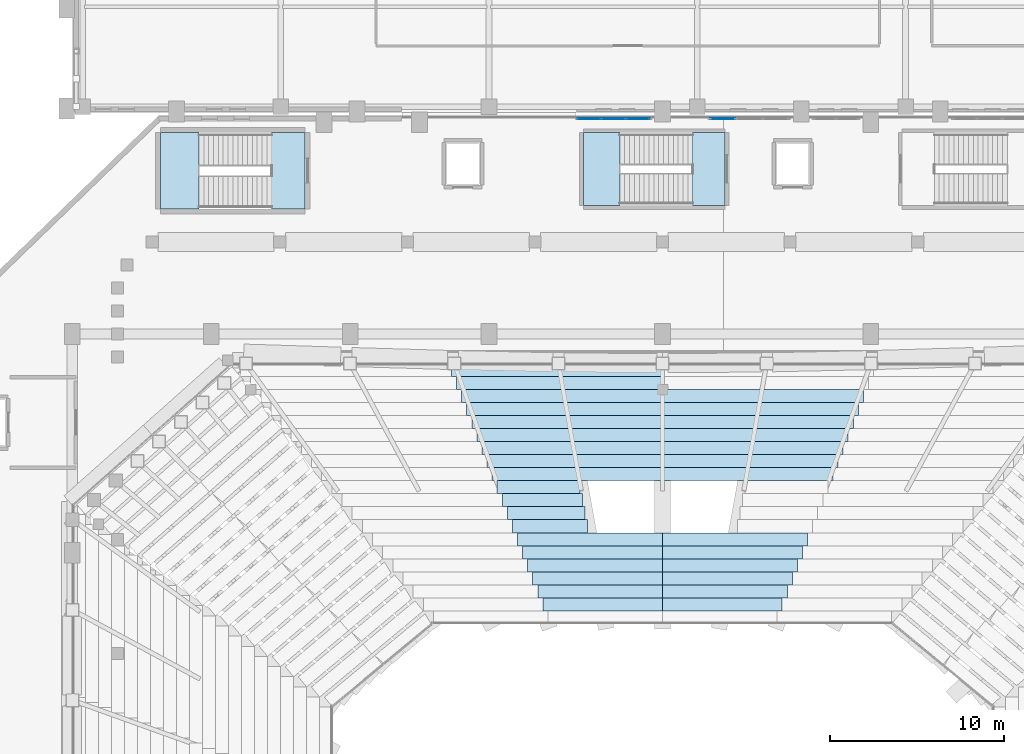
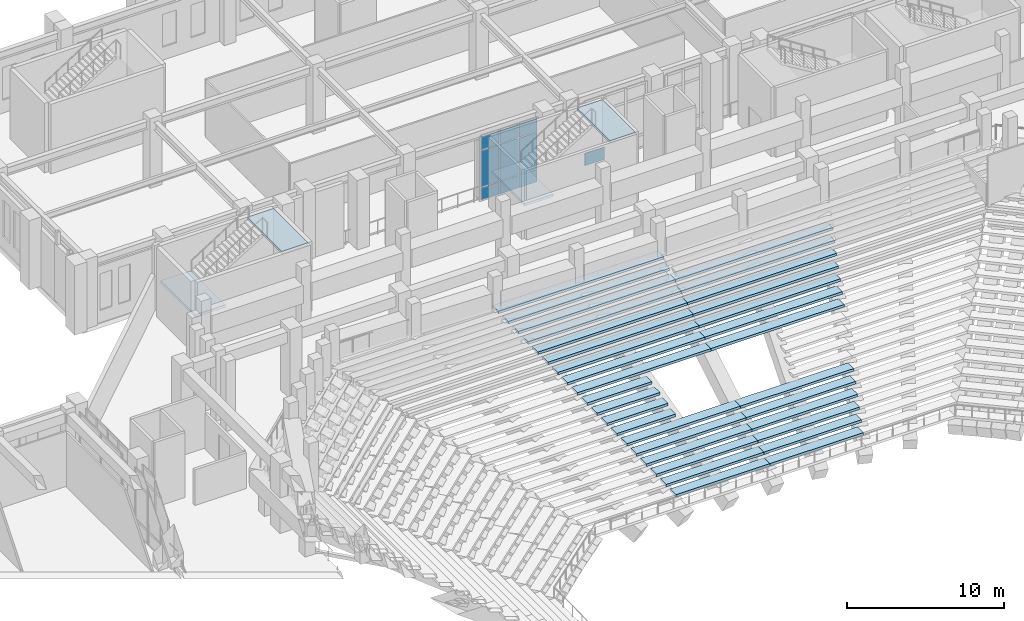
# One storey, part 103 of 159: 36 slabs, 10 plates, 4 elements without a shape of their own.
"""IFC4 building model written with IfcOpenShell, lengths in metres."""

from ifc_helpers import new_model, si_unit, derived_unit, direction, frame, origin, origin_2d, place, context, subcontext, project, spatial, polyline, rectangle, outline, extrude, material, layer, layer_set, type_object, element, aggregate, save


model = new_model("IFC4")

# Units and contexts
model_context = context("Model", 3, precision=1e-05, world=origin(), true_north=direction((0.0, 1.0)))
body_context = subcontext(model_context, "Body", "Model", "MODEL_VIEW")
ifc_project = project(units=[si_unit("LENGTHUNIT", "METRE"), si_unit("AREAUNIT", "SQUARE_METRE"), si_unit("VOLUMEUNIT", "CUBIC_METRE"), si_unit("PLANEANGLEUNIT", "RADIAN"), si_unit("MASSUNIT", "GRAM", prefix="KILO"), derived_unit("THERMALTRANSMITTANCEUNIT", [(si_unit("MASSUNIT", "GRAM", prefix="KILO"), 1), (si_unit("TIMEUNIT", "SECOND"), -3), (si_unit("THERMODYNAMICTEMPERATUREUNIT", "KELVIN"), -1)])], contexts=[model_context])

# Site, building, storey
site_placement = place(None, origin())
site = spatial("IfcSite", under=ifc_project, at=site_placement, CompositionType="ELEMENT")
building_placement = place(site_placement, origin())
building = spatial("IfcBuilding", under=site, at=building_placement, Name="Valcora Ridge Arena", CompositionType="ELEMENT")
storey_placement = place(building_placement, frame((0.0, 0.0, 6.0)))
storey = spatial("IfcBuildingStorey", under=building, at=storey_placement, Name="L01", CompositionType="ELEMENT", Elevation=6.0)

# Stair, slabs
ifc_material_1 = material(Name="Concrete C40/50", Category="concrete")
stair_type_1 = type_object("IfcStairType", Name="TY-STAIR-ES03-54", PredefinedType="HALF_TURN_STAIR", material=ifc_material_1)
stair_1_placement = place(storey_placement, origin())
stair_1 = element("IfcStair", 1, at=stair_1_placement, inside=storey, type_object=stair_type_1, Name="ES03-54 STR-ES-0010", PredefinedType="HALF_TURN_STAIR")
ifc_layer_1 = layer(ifc_material_1, 0.199951171875, Name="Concrete C40/50")
ifc_layer_set_1 = layer_set([ifc_layer_1], Name="Concrete C40/50")
slab_type_1 = type_object("IfcSlabType", Name="TY-LAND-ES03-54", PredefinedType="LANDING", material=ifc_layer_set_1)
slab_1_placement = place(storey_placement, frame((0.0, 0.0, 2.5)))
slab_1 = element("IfcSlab", 2, at=slab_1_placement, type_object=slab_type_1, Name="ES03-54 landing 1", PredefinedType="LANDING", context=body_context, shape_type="SweptSolid", body=[
    extrude(outline(polyline([(53.44189453125, 103.001953125), (55.56005859375, 103.001953125), (55.56005859375, 107.197998046875), (53.44189453125, 107.197998046875), (53.44189453125, 103.001953125)])), origin(), (0.0, 0.0, 1.0), 0.199951171875),
])
slab_2_placement = place(storey_placement, frame((0.0, 0.0, 5.199951171875)))
slab_2 = element("IfcSlab", 3, at=slab_2_placement, type_object=slab_type_1, Name="ES03-54 landing 2", PredefinedType="LANDING", context=body_context, shape_type="SweptSolid", body=[
    extrude(outline(polyline([(59.719970703125, 103.001953125), (61.597900390625, 103.001953125), (61.597900390625, 107.197998046875), (59.719970703125, 107.197998046875), (59.719970703125, 103.001953125)])), origin(), (0.0, 0.0, 1.0), 0.199951171875),
])
aggregate(stair_1, [slab_1, slab_2])

stair_type_2 = type_object("IfcStairType", Name="TY-STAIR-ST03-54", PredefinedType="HALF_TURN_STAIR", material=ifc_material_1)
stair_2_placement = place(storey_placement, origin())
stair_2 = element("IfcStair", 4, at=stair_2_placement, inside=storey, type_object=stair_type_2, Name="ST03-54 STR-CR-0014", PredefinedType="HALF_TURN_STAIR")
ifc_layer_2 = layer(ifc_material_1, 0.199951171875, Name="Concrete C40/50")
ifc_layer_set_2 = layer_set([ifc_layer_2], Name="Concrete C40/50")
slab_type_2 = type_object("IfcSlabType", Name="TY-LAND-ST03-54", PredefinedType="LANDING", material=ifc_layer_set_2)
slab_3_placement = place(storey_placement, frame((0.0, 0.0, 2.5)))
slab_3 = element("IfcSlab", 5, at=slab_3_placement, type_object=slab_type_2, Name="ST03-54 landing 1", PredefinedType="LANDING", context=body_context, shape_type="SweptSolid", body=[
    extrude(outline(polyline([(29.08203125, 102.802001953125), (31.31005859375, 102.802001953125), (31.31005859375, 107.197998046875), (29.08203125, 107.197998046875), (29.08203125, 102.802001953125)])), origin(), (0.0, 0.0, 1.0), 0.199951171875),
])
slab_4_placement = place(storey_placement, frame((0.0, 0.0, 5.199951171875)))
slab_4 = element("IfcSlab", 6, at=slab_4_placement, type_object=slab_type_2, Name="ST03-54 landing 2", PredefinedType="LANDING", context=body_context, shape_type="SweptSolid", body=[
    extrude(outline(polyline([(35.469970703125, 102.802001953125), (37.39794921875, 102.802001953125), (37.39794921875, 107.197998046875), (35.469970703125, 107.197998046875), (35.469970703125, 102.802001953125)])), origin(), (0.0, 0.0, 1.0), 0.199951171875),
])
aggregate(stair_2, [slab_3, slab_4])

# Curtain wall, plates
ifc_material_2 = material(Name="Anodised dark bronze architectural aluminium 6063-T6", Category="aluminium")
ifc_layer_3 = layer(ifc_material_2, 0.179931640625, Name="Anodised dark bronze architectural aluminium 6063-T6")
ifc_layer_set_3 = layer_set([ifc_layer_3], Name="Anodised dark bronze architectural aluminium 6063-T6")
curtain_wall_type_1 = type_object("IfcCurtainWallType", Name="TY-CURTAINWALL-CW-V1-GOTH-043X50", PredefinedType="NOTDEFINED", material=ifc_layer_set_3)
curtain_wall_1_placement = place(storey_placement, origin())
curtain_wall_1 = element("IfcCurtainWall", 7, at=curtain_wall_1_placement, inside=storey, type_object=curtain_wall_type_1, Name="CW-V1-GOTH-043X50 CW-0102", PredefinedType="NOTDEFINED")
ifc_material_3 = material(Name="Low-iron solar-control double glazing SHGC 0.28", Category="glass")
ifc_layer_4 = layer(ifc_material_3, 0.031982421875, Name="Low-iron solar-control double glazing SHGC 0.28")
ifc_layer_set_4 = layer_set([ifc_layer_4], Name="Low-iron solar-control double glazing SHGC 0.28")
plate_type_1 = type_object("IfcPlateType", Name="TY-PLT-CWP-1330X0960", PredefinedType="CURTAIN_PANEL", material=ifc_layer_set_4)
plate_1_placement = place(storey_placement, frame((53.77490234375, 108.0, 0.06005859375), z_axis=(0.0, 0.0, 1.0), x_axis=(1.0, 0.0, 0.0)))
plate_1 = element("IfcPlate", 8, at=plate_1_placement, type_object=plate_type_1, Name="CW-0102/P00-00", PredefinedType="CURTAIN_PANEL", context=body_context, shape_type="SweptSolid", body=[
    extrude(rectangle(XDim=1.330078125, YDim=0.031982421875, at=origin_2d()), origin(), (0.0, 0.0, 1.0), 0.9599609375),
])
plate_2_placement = place(storey_placement, frame((56.5849609375, 108.0, 0.06005859375), z_axis=(0.0, 0.0, 1.0), x_axis=(1.0, 0.0, 0.0)))
plate_2 = element("IfcPlate", 9, at=plate_2_placement, type_object=plate_type_1, Name="CW-0102/P02-00", PredefinedType="CURTAIN_PANEL", context=body_context, shape_type="SweptSolid", body=[
    extrude(rectangle(XDim=1.330078125, YDim=0.031982421875, at=origin_2d()), origin(), (0.0, 0.0, 1.0), 0.9599609375),
])
ifc_layer_5 = layer(ifc_material_3, 0.031982421875, Name="Low-iron solar-control double glazing SHGC 0.28")
ifc_layer_set_5 = layer_set([ifc_layer_5], Name="Low-iron solar-control double glazing SHGC 0.28")
plate_type_2 = type_object("IfcPlateType", Name="TY-PLT-CWP-1330X1010", PredefinedType="CURTAIN_PANEL", material=ifc_layer_set_5)
plate_3_placement = place(storey_placement, frame((53.77490234375, 108.0, 3.97021484375), z_axis=(0.0, 0.0, 1.0), x_axis=(1.0, 0.0, 0.0)))
plate_3 = element("IfcPlate", 10, at=plate_3_placement, type_object=plate_type_2, Name="CW-0102/P00-02", PredefinedType="CURTAIN_PANEL", context=body_context, shape_type="SweptSolid", body=[
    extrude(rectangle(XDim=1.330078125, YDim=0.031982421875, at=origin_2d()), origin(), (0.0, 0.0, 1.0), 1.010009765625),
])
plate_4_placement = place(storey_placement, frame((56.5849609375, 108.0, 3.97021484375), z_axis=(0.0, 0.0, 1.0), x_axis=(1.0, 0.0, 0.0)))
plate_4 = element("IfcPlate", 11, at=plate_4_placement, type_object=plate_type_2, Name="CW-0102/P02-02", PredefinedType="CURTAIN_PANEL", context=body_context, shape_type="SweptSolid", body=[
    extrude(rectangle(XDim=1.330078125, YDim=0.031982421875, at=origin_2d()), origin(), (0.0, 0.0, 1.0), 1.010009765625),
])
ifc_layer_6 = layer(ifc_material_3, 0.031982421875, Name="Low-iron solar-control double glazing SHGC 0.28")
ifc_layer_set_6 = layer_set([ifc_layer_6], Name="Low-iron solar-control double glazing SHGC 0.28")
plate_type_3 = type_object("IfcPlateType", Name="TY-PLT-CWP-1330X2830", PredefinedType="CURTAIN_PANEL", material=ifc_layer_set_6)
plate_5_placement = place(storey_placement, frame((53.77490234375, 108.0, 1.080078125), z_axis=(0.0, 0.0, 1.0), x_axis=(1.0, 0.0, 0.0)))
plate_5 = element("IfcPlate", 12, at=plate_5_placement, type_object=plate_type_3, Name="CW-0102/P00-01", PredefinedType="CURTAIN_PANEL", context=body_context, shape_type="SweptSolid", body=[
    extrude(rectangle(XDim=1.330078125, YDim=0.031982421875, at=origin_2d()), origin(), (0.0, 0.0, 1.0), 2.830078125),
])
plate_6_placement = place(storey_placement, frame((56.5849609375, 108.0, 1.080078125), z_axis=(0.0, 0.0, 1.0), x_axis=(1.0, 0.0, 0.0)))
plate_6 = element("IfcPlate", 13, at=plate_6_placement, type_object=plate_type_3, Name="CW-0102/P02-01", PredefinedType="CURTAIN_PANEL", context=body_context, shape_type="SweptSolid", body=[
    extrude(rectangle(XDim=1.330078125, YDim=0.031982421875, at=origin_2d()), origin(), (0.0, 0.0, 1.0), 2.830078125),
])
ifc_layer_7 = layer(ifc_material_3, 0.031982421875, Name="Low-iron solar-control double glazing SHGC 0.28")
ifc_layer_set_7 = layer_set([ifc_layer_7], Name="Low-iron solar-control double glazing SHGC 0.28")
plate_type_4 = type_object("IfcPlateType", Name="TY-PLT-CWP-1360X0960", PredefinedType="CURTAIN_PANEL", material=ifc_layer_set_7)
plate_7_placement = place(storey_placement, frame((55.179931640625, 108.0, 0.06005859375), z_axis=(0.0, 0.0, 1.0), x_axis=(1.0, 0.0, 0.0)))
plate_7 = element("IfcPlate", 14, at=plate_7_placement, type_object=plate_type_4, Name="CW-0102/P01-00", PredefinedType="CURTAIN_PANEL", context=body_context, shape_type="SweptSolid", body=[
    extrude(rectangle(XDim=1.360107421875, YDim=0.031982421875, at=origin_2d()), origin(), (0.0, 0.0, 1.0), 0.9599609375),
])
ifc_layer_8 = layer(ifc_material_3, 0.031982421875, Name="Low-iron solar-control double glazing SHGC 0.28")
ifc_layer_set_8 = layer_set([ifc_layer_8], Name="Low-iron solar-control double glazing SHGC 0.28")
plate_type_5 = type_object("IfcPlateType", Name="TY-PLT-CWP-1360X1010", PredefinedType="CURTAIN_PANEL", material=ifc_layer_set_8)
plate_8_placement = place(storey_placement, frame((55.179931640625, 108.0, 3.97021484375), z_axis=(0.0, 0.0, 1.0), x_axis=(1.0, 0.0, 0.0)))
plate_8 = element("IfcPlate", 15, at=plate_8_placement, type_object=plate_type_5, Name="CW-0102/P01-02", PredefinedType="CURTAIN_PANEL", context=body_context, shape_type="SweptSolid", body=[
    extrude(rectangle(XDim=1.360107421875, YDim=0.031982421875, at=origin_2d()), origin(), (0.0, 0.0, 1.0), 1.010009765625),
])
ifc_layer_9 = layer(ifc_material_3, 0.031982421875, Name="Low-iron solar-control double glazing SHGC 0.28")
ifc_layer_set_9 = layer_set([ifc_layer_9], Name="Low-iron solar-control double glazing SHGC 0.28")
plate_type_6 = type_object("IfcPlateType", Name="TY-PLT-CWP-1360X2830", PredefinedType="CURTAIN_PANEL", material=ifc_layer_set_9)
plate_9_placement = place(storey_placement, frame((55.179931640625, 108.0, 1.080078125), z_axis=(0.0, 0.0, 1.0), x_axis=(1.0, 0.0, 0.0)))
plate_9 = element("IfcPlate", 16, at=plate_9_placement, type_object=plate_type_6, Name="CW-0102/P01-01", PredefinedType="CURTAIN_PANEL", context=body_context, shape_type="SweptSolid", body=[
    extrude(rectangle(XDim=1.360107421875, YDim=0.031982421875, at=origin_2d()), origin(), (0.0, 0.0, 1.0), 2.830078125),
])
aggregate(curtain_wall_1, [plate_1, plate_5, plate_3, plate_7, plate_9, plate_8, plate_2, plate_6, plate_4])

# Curtain wall, plate
ifc_layer_10 = layer(ifc_material_2, 0.179931640625, Name="Anodised dark bronze architectural aluminium 6063-T6")
ifc_layer_set_10 = layer_set([ifc_layer_10], Name="Anodised dark bronze architectural aluminium 6063-T6")
curtain_wall_type_2 = type_object("IfcCurtainWallType", Name="TY-CURTAINWALL-CW-V1-GOTH-046X50", PredefinedType="NOTDEFINED", material=ifc_layer_set_10)
curtain_wall_2_placement = place(storey_placement, origin())
curtain_wall_2 = element("IfcCurtainWall", 17, at=curtain_wall_2_placement, inside=storey, type_object=curtain_wall_type_2, Name="CW-V1-GOTH-046X50 CW-0103", PredefinedType="NOTDEFINED")
ifc_layer_11 = layer(ifc_material_3, 0.031982421875, Name="Low-iron solar-control double glazing SHGC 0.28")
ifc_layer_set_11 = layer_set([ifc_layer_11], Name="Low-iron solar-control double glazing SHGC 0.28")
plate_type_7 = type_object("IfcPlateType", Name="TY-PLT-CWP-1450X0960", PredefinedType="CURTAIN_PANEL", material=ifc_layer_set_11)
plate_10_placement = place(storey_placement, frame((61.47509765625, 108.0, 0.06005859375), z_axis=(0.0, 0.0, 1.0), x_axis=(1.0, 0.0, 0.0)))
plate_10 = element("IfcPlate", 18, at=plate_10_placement, type_object=plate_type_7, Name="CW-0103/P00-00", PredefinedType="CURTAIN_PANEL", context=body_context, shape_type="SweptSolid", body=[
    extrude(rectangle(XDim=1.449951171875, YDim=0.031982421875, at=origin_2d()), origin(), (0.0, 0.0, 1.0), 0.9599609375),
])
aggregate(curtain_wall_2, [plate_10])

# Slabs
ifc_material_4 = material(Name="Precast concrete C45/55", Category="concrete")
ifc_layer_12 = layer(ifc_material_4, 0.199951171875, Name="Precast concrete C45/55")
ifc_layer_set_12 = layer_set([ifc_layer_12], Name="Precast concrete C45/55")
slab_type_3 = type_object("IfcSlabType", Name="TY-SLAB-ST-LOW-L043", PredefinedType="USERDEFINED", material=ifc_layer_set_12)
slab_5_placement = place(storey_placement, frame((0.0, 0.0, -2.52001953125)))
element("IfcSlab", 19, at=slab_5_placement, inside=storey, type_object=slab_type_3, Name="ST-LOW-L043 SLB-TR-0183", ObjectType="SEATING TIER", PredefinedType="USERDEFINED", context=body_context, shape_type="SweptSolid", body=[
    extrude(outline(polyline([(53.67626953125, 84.14990234375), (49.3525390625, 84.14990234375), (49.3525390625, 84.89990234375), (53.67626953125, 84.89990234375), (53.67626953125, 84.14990234375)])), origin(), (0.0, 0.0, 1.0), 0.199951171875),
])
ifc_layer_13 = layer(ifc_material_4, 0.199951171875, Name="Precast concrete C45/55")
ifc_layer_set_13 = layer_set([ifc_layer_13], Name="Precast concrete C45/55")
slab_type_4 = type_object("IfcSlabType", Name="TY-SLAB-ST-LOW-L045", PredefinedType="USERDEFINED", material=ifc_layer_set_13)
slab_6_placement = place(storey_placement, frame((0.0, 0.0, -2.080078125)))
element("IfcSlab", 20, at=slab_6_placement, inside=storey, type_object=slab_type_4, Name="ST-LOW-L045 SLB-TR-0207", ObjectType="SEATING TIER", PredefinedType="USERDEFINED", context=body_context, shape_type="SweptSolid", body=[
    extrude(outline(polyline([(53.530029296875, 84.89990234375), (49.06005859375, 84.89990234375), (49.06005859375, 85.64990234375), (53.530029296875, 85.64990234375), (53.530029296875, 84.89990234375)])), origin(), (0.0, 0.0, 1.0), 0.2001953125),
])
ifc_layer_14 = layer(ifc_material_4, 0.199951171875, Name="Precast concrete C45/55")
ifc_layer_set_14 = layer_set([ifc_layer_14], Name="Precast concrete C45/55")
slab_type_5 = type_object("IfcSlabType", Name="TY-SLAB-ST-LOW-L046", PredefinedType="USERDEFINED", material=ifc_layer_set_14)
slab_7_placement = place(storey_placement, frame((0.0, 0.0, -1.639892578125)))
element("IfcSlab", 21, at=slab_7_placement, inside=storey, type_object=slab_type_5, Name="ST-LOW-L046 SLB-TR-0231", ObjectType="SEATING TIER", PredefinedType="USERDEFINED", context=body_context, shape_type="SweptSolid", body=[
    extrude(outline(polyline([(53.3837890625, 85.64990234375), (48.767578125, 85.64990234375), (48.767578125, 86.39990234375), (53.3837890625, 86.39990234375), (53.3837890625, 85.64990234375)])), origin(), (0.0, 0.0, 1.0), 0.199951171875),
])
ifc_layer_15 = layer(ifc_material_4, 0.199951171875, Name="Precast concrete C45/55")
ifc_layer_set_15 = layer_set([ifc_layer_15], Name="Precast concrete C45/55")
slab_type_6 = type_object("IfcSlabType", Name="TY-SLAB-ST-LOW-L048", PredefinedType="USERDEFINED", material=ifc_layer_set_15)
slab_8_placement = place(storey_placement, frame((0.0, 0.0, -1.199951171875)))
element("IfcSlab", 22, at=slab_8_placement, inside=storey, type_object=slab_type_6, Name="ST-LOW-L048 SLB-TR-0255", ObjectType="SEATING TIER", PredefinedType="USERDEFINED", context=body_context, shape_type="SweptSolid", body=[
    extrude(outline(polyline([(53.237548828125, 86.39990234375), (48.47509765625, 86.39990234375), (48.47509765625, 87.14990234375), (53.237548828125, 87.14990234375), (53.237548828125, 86.39990234375)])), origin(), (0.0, 0.0, 1.0), 0.199951171875),
])
ifc_layer_16 = layer(ifc_material_4, 0.199951171875, Name="Precast concrete C45/55")
ifc_layer_set_16 = layer_set([ifc_layer_16], Name="Precast concrete C45/55")
slab_type_7 = type_object("IfcSlabType", Name="TY-SLAB-ST-LOW-L069", PredefinedType="USERDEFINED", material=ifc_layer_set_16)
slab_9_placement = place(storey_placement, frame((0.0, 0.0, -5.159912109375)))
element("IfcSlab", 23, at=slab_9_placement, inside=storey, type_object=slab_type_7, Name="ST-LOW-L069 SLB-TR-0038", ObjectType="SEATING TIER", PredefinedType="USERDEFINED", context=body_context, shape_type="SweptSolid", body=[
    extrude(outline(polyline([(64.892578125, 79.64990234375), (58.0, 79.64990234375), (58.0, 80.39990234375), (64.892578125, 80.39990234375), (64.892578125, 79.64990234375)])), origin(), (0.0, 0.0, 1.0), 0.199951171875),
])
slab_10_placement = place(storey_placement, frame((0.0, 0.0, -5.159912109375)))
element("IfcSlab", 24, at=slab_10_placement, inside=storey, type_object=slab_type_7, Name="ST-LOW-L069 SLB-TR-0039", ObjectType="SEATING TIER", PredefinedType="USERDEFINED", context=body_context, shape_type="SweptSolid", body=[
    extrude(outline(polyline([(58.0, 79.64990234375), (51.107421875, 79.64990234375), (51.107421875, 80.39990234375), (58.0, 80.39990234375), (58.0, 79.64990234375)])), origin(), (0.0, 0.0, 1.0), 0.199951171875),
])
ifc_layer_17 = layer(ifc_material_4, 0.199951171875, Name="Precast concrete C45/55")
ifc_layer_set_17 = layer_set([ifc_layer_17], Name="Precast concrete C45/55")
slab_type_8 = type_object("IfcSlabType", Name="TY-SLAB-ST-LOW-L072", PredefinedType="USERDEFINED", material=ifc_layer_set_17)
slab_11_placement = place(storey_placement, frame((0.0, 0.0, -4.719970703125)))
element("IfcSlab", 25, at=slab_11_placement, inside=storey, type_object=slab_type_8, Name="ST-LOW-L072 SLB-TR-0062", ObjectType="SEATING TIER", PredefinedType="USERDEFINED", context=body_context, shape_type="SweptSolid", body=[
    extrude(outline(polyline([(65.18505859375, 80.39990234375), (58.0, 80.39990234375), (58.0, 81.14990234375), (65.18505859375, 81.14990234375), (65.18505859375, 80.39990234375)])), origin(), (0.0, 0.0, 1.0), 0.199951171875),
])
slab_12_placement = place(storey_placement, frame((0.0, 0.0, -4.719970703125)))
element("IfcSlab", 26, at=slab_12_placement, inside=storey, type_object=slab_type_8, Name="ST-LOW-L072 SLB-TR-0063", ObjectType="SEATING TIER", PredefinedType="USERDEFINED", context=body_context, shape_type="SweptSolid", body=[
    extrude(outline(polyline([(58.0, 80.39990234375), (50.81494140625, 80.39990234375), (50.81494140625, 81.14990234375), (58.0, 81.14990234375), (58.0, 80.39990234375)])), origin(), (0.0, 0.0, 1.0), 0.199951171875),
])
ifc_layer_18 = layer(ifc_material_4, 0.199951171875, Name="Precast concrete C45/55")
ifc_layer_set_18 = layer_set([ifc_layer_18], Name="Precast concrete C45/55")
slab_type_9 = type_object("IfcSlabType", Name="TY-SLAB-ST-LOW-L075", PredefinedType="USERDEFINED", material=ifc_layer_set_18)
slab_13_placement = place(storey_placement, frame((0.0, 0.0, -4.280029296875)))
element("IfcSlab", 27, at=slab_13_placement, inside=storey, type_object=slab_type_9, Name="ST-LOW-L075 SLB-TR-0086", ObjectType="SEATING TIER", PredefinedType="USERDEFINED", context=body_context, shape_type="SweptSolid", body=[
    extrude(outline(polyline([(65.4775390625, 81.14990234375), (58.0, 81.14990234375), (58.0, 81.89990234375), (65.4775390625, 81.89990234375), (65.4775390625, 81.14990234375)])), origin(), (0.0, 0.0, 1.0), 0.199951171875),
])
slab_14_placement = place(storey_placement, frame((0.0, 0.0, -4.280029296875)))
element("IfcSlab", 28, at=slab_14_placement, inside=storey, type_object=slab_type_9, Name="ST-LOW-L075 SLB-TR-0087", ObjectType="SEATING TIER", PredefinedType="USERDEFINED", context=body_context, shape_type="SweptSolid", body=[
    extrude(outline(polyline([(58.0, 81.14990234375), (50.5224609375, 81.14990234375), (50.5224609375, 81.89990234375), (58.0, 81.89990234375), (58.0, 81.14990234375)])), origin(), (0.0, 0.0, 1.0), 0.199951171875),
])
ifc_layer_19 = layer(ifc_material_4, 0.199951171875, Name="Precast concrete C45/55")
ifc_layer_set_19 = layer_set([ifc_layer_19], Name="Precast concrete C45/55")
slab_type_10 = type_object("IfcSlabType", Name="TY-SLAB-ST-LOW-L078", PredefinedType="USERDEFINED", material=ifc_layer_set_19)
slab_15_placement = place(storey_placement, frame((0.0, 0.0, -3.840087890625)))
element("IfcSlab", 29, at=slab_15_placement, inside=storey, type_object=slab_type_10, Name="ST-LOW-L078 SLB-TR-0110", ObjectType="SEATING TIER", PredefinedType="USERDEFINED", context=body_context, shape_type="SweptSolid", body=[
    extrude(outline(polyline([(65.77001953125, 81.89990234375), (58.0, 81.89990234375), (58.0, 82.64990234375), (65.77001953125, 82.64990234375), (65.77001953125, 81.89990234375)])), origin(), (0.0, 0.0, 1.0), 0.2001953125),
])
slab_16_placement = place(storey_placement, frame((0.0, 0.0, -3.840087890625)))
element("IfcSlab", 30, at=slab_16_placement, inside=storey, type_object=slab_type_10, Name="ST-LOW-L078 SLB-TR-0111", ObjectType="SEATING TIER", PredefinedType="USERDEFINED", context=body_context, shape_type="SweptSolid", body=[
    extrude(outline(polyline([(58.0, 81.89990234375), (50.22998046875, 81.89990234375), (50.22998046875, 82.64990234375), (58.0, 82.64990234375), (58.0, 81.89990234375)])), origin(), (0.0, 0.0, 1.0), 0.2001953125),
])
ifc_layer_20 = layer(ifc_material_4, 0.199951171875, Name="Precast concrete C45/55")
ifc_layer_set_20 = layer_set([ifc_layer_20], Name="Precast concrete C45/55")
slab_type_11 = type_object("IfcSlabType", Name="TY-SLAB-ST-LOW-L081", PredefinedType="USERDEFINED", material=ifc_layer_set_20)
slab_17_placement = place(storey_placement, frame((0.0, 0.0, -3.39990234375)))
element("IfcSlab", 31, at=slab_17_placement, inside=storey, type_object=slab_type_11, Name="ST-LOW-L081 SLB-TR-0134", ObjectType="SEATING TIER", PredefinedType="USERDEFINED", context=body_context, shape_type="SweptSolid", body=[
    extrude(outline(polyline([(66.0625, 82.64990234375), (58.0, 82.64990234375), (58.0, 83.39990234375), (66.0625, 83.39990234375), (66.0625, 82.64990234375)])), origin(), (0.0, 0.0, 1.0), 0.199951171875),
])
slab_18_placement = place(storey_placement, frame((0.0, 0.0, -3.39990234375)))
element("IfcSlab", 32, at=slab_18_placement, inside=storey, type_object=slab_type_11, Name="ST-LOW-L081 SLB-TR-0135", ObjectType="SEATING TIER", PredefinedType="USERDEFINED", context=body_context, shape_type="SweptSolid", body=[
    extrude(outline(polyline([(58.0, 82.64990234375), (49.9375, 82.64990234375), (49.9375, 83.39990234375), (58.0, 83.39990234375), (58.0, 82.64990234375)])), origin(), (0.0, 0.0, 1.0), 0.199951171875),
])
ifc_layer_21 = layer(ifc_material_4, 0.199951171875, Name="Precast concrete C45/55")
ifc_layer_set_21 = layer_set([ifc_layer_21], Name="Precast concrete C45/55")
slab_type_12 = type_object("IfcSlabType", Name="TY-SLAB-ST-LOW-L084", PredefinedType="USERDEFINED", material=ifc_layer_set_21)
slab_19_placement = place(storey_placement, frame((0.0, 0.0, -2.9599609375)))
element("IfcSlab", 33, at=slab_19_placement, inside=storey, type_object=slab_type_12, Name="ST-LOW-L084 SLB-TR-0158", ObjectType="SEATING TIER", PredefinedType="USERDEFINED", context=body_context, shape_type="SweptSolid", body=[
    extrude(outline(polyline([(66.35498046875, 83.39990234375), (58.0, 83.39990234375), (58.0, 84.14990234375), (66.35498046875, 84.14990234375), (66.35498046875, 83.39990234375)])), origin(), (0.0, 0.0, 1.0), 0.199951171875),
])
slab_20_placement = place(storey_placement, frame((0.0, 0.0, -2.9599609375)))
element("IfcSlab", 34, at=slab_20_placement, inside=storey, type_object=slab_type_12, Name="ST-LOW-L084 SLB-TR-0159", ObjectType="SEATING TIER", PredefinedType="USERDEFINED", context=body_context, shape_type="SweptSolid", body=[
    extrude(outline(polyline([(58.0, 83.39990234375), (49.64501953125, 83.39990234375), (49.64501953125, 84.14990234375), (58.0, 84.14990234375), (58.0, 83.39990234375)])), origin(), (0.0, 0.0, 1.0), 0.199951171875),
])
ifc_layer_22 = layer(ifc_material_4, 0.199951171875, Name="Precast concrete C45/55")
ifc_layer_set_22 = layer_set([ifc_layer_22], Name="Precast concrete C45/55")
slab_type_13 = type_object("IfcSlabType", Name="TY-SLAB-ST-LOW-L098", PredefinedType="USERDEFINED", material=ifc_layer_set_22)
slab_21_placement = place(storey_placement, frame((0.0, 0.0, -0.760009765625)))
element("IfcSlab", 35, at=slab_21_placement, inside=storey, type_object=slab_type_13, Name="ST-LOW-L098 SLB-TR-0278", ObjectType="SEATING TIER", PredefinedType="USERDEFINED", context=body_context, shape_type="SweptSolid", body=[
    extrude(outline(polyline([(67.8173828125, 87.14990234375), (58.0, 87.14990234375), (58.0, 87.89990234375), (67.8173828125, 87.89990234375), (67.8173828125, 87.14990234375)])), origin(), (0.0, 0.0, 1.0), 0.199951171875),
])
slab_22_placement = place(storey_placement, frame((0.0, 0.0, -0.760009765625)))
element("IfcSlab", 36, at=slab_22_placement, inside=storey, type_object=slab_type_13, Name="ST-LOW-L098 SLB-TR-0279", ObjectType="SEATING TIER", PredefinedType="USERDEFINED", context=body_context, shape_type="SweptSolid", body=[
    extrude(outline(polyline([(58.0, 87.14990234375), (48.1826171875, 87.14990234375), (48.1826171875, 87.89990234375), (58.0, 87.89990234375), (58.0, 87.14990234375)])), origin(), (0.0, 0.0, 1.0), 0.199951171875),
])
ifc_layer_23 = layer(ifc_material_4, 0.199951171875, Name="Precast concrete C45/55")
ifc_layer_set_23 = layer_set([ifc_layer_23], Name="Precast concrete C45/55")
slab_type_14 = type_object("IfcSlabType", Name="TY-SLAB-ST-LOW-L101", PredefinedType="USERDEFINED", material=ifc_layer_set_23)
slab_23_placement = place(storey_placement, frame((0.0, 0.0, -0.320068359375)))
element("IfcSlab", 37, at=slab_23_placement, inside=storey, type_object=slab_type_14, Name="ST-LOW-L101 SLB-TR-0302", ObjectType="SEATING TIER", PredefinedType="USERDEFINED", context=body_context, shape_type="SweptSolid", body=[
    extrude(outline(polyline([(68.110107421875, 87.89990234375), (58.0, 87.89990234375), (58.0, 88.64990234375), (68.110107421875, 88.64990234375), (68.110107421875, 87.89990234375)])), origin(), (0.0, 0.0, 1.0), 0.199951171875),
])
slab_24_placement = place(storey_placement, frame((0.0, 0.0, -0.320068359375)))
element("IfcSlab", 38, at=slab_24_placement, inside=storey, type_object=slab_type_14, Name="ST-LOW-L101 SLB-TR-0303", ObjectType="SEATING TIER", PredefinedType="USERDEFINED", context=body_context, shape_type="SweptSolid", body=[
    extrude(outline(polyline([(58.0, 87.89990234375), (47.889892578125, 87.89990234375), (47.889892578125, 88.64990234375), (58.0, 88.64990234375), (58.0, 87.89990234375)])), origin(), (0.0, 0.0, 1.0), 0.199951171875),
])
ifc_layer_24 = layer(ifc_material_4, 0.199951171875, Name="Precast concrete C45/55")
ifc_layer_set_24 = layer_set([ifc_layer_24], Name="Precast concrete C45/55")
slab_type_15 = type_object("IfcSlabType", Name="TY-SLAB-ST-LOW-L104", PredefinedType="USERDEFINED", material=ifc_layer_set_24)
slab_25_placement = place(storey_placement, frame((0.0, 0.0, 0.1201171875)))
element("IfcSlab", 39, at=slab_25_placement, inside=storey, type_object=slab_type_15, Name="ST-LOW-L104 SLB-TR-0326", ObjectType="SEATING TIER", PredefinedType="USERDEFINED", context=body_context, shape_type="SweptSolid", body=[
    extrude(outline(polyline([(68.402587890625, 88.64990234375), (58.0, 88.64990234375), (58.0, 89.39990234375), (68.402587890625, 89.39990234375), (68.402587890625, 88.64990234375)])), origin(), (0.0, 0.0, 1.0), 0.199951171875),
])
slab_26_placement = place(storey_placement, frame((0.0, 0.0, 0.1201171875)))
element("IfcSlab", 40, at=slab_26_placement, inside=storey, type_object=slab_type_15, Name="ST-LOW-L104 SLB-TR-0327", ObjectType="SEATING TIER", PredefinedType="USERDEFINED", context=body_context, shape_type="SweptSolid", body=[
    extrude(outline(polyline([(58.0, 88.64990234375), (47.597412109375, 88.64990234375), (47.597412109375, 89.39990234375), (58.0, 89.39990234375), (58.0, 88.64990234375)])), origin(), (0.0, 0.0, 1.0), 0.199951171875),
])
ifc_layer_25 = layer(ifc_material_4, 0.199951171875, Name="Precast concrete C45/55")
ifc_layer_set_25 = layer_set([ifc_layer_25], Name="Precast concrete C45/55")
slab_type_16 = type_object("IfcSlabType", Name="TY-SLAB-ST-LOW-L107", PredefinedType="USERDEFINED", material=ifc_layer_set_25)
slab_27_placement = place(storey_placement, frame((0.0, 0.0, 0.56005859375)))
element("IfcSlab", 41, at=slab_27_placement, inside=storey, type_object=slab_type_16, Name="ST-LOW-L107 SLB-TR-0350", ObjectType="SEATING TIER", PredefinedType="USERDEFINED", context=body_context, shape_type="SweptSolid", body=[
    extrude(outline(polyline([(68.695068359375, 89.39990234375), (58.0, 89.39990234375), (58.0, 90.14990234375), (68.695068359375, 90.14990234375), (68.695068359375, 89.39990234375)])), origin(), (0.0, 0.0, 1.0), 0.199951171875),
])
slab_28_placement = place(storey_placement, frame((0.0, 0.0, 0.56005859375)))
element("IfcSlab", 42, at=slab_28_placement, inside=storey, type_object=slab_type_16, Name="ST-LOW-L107 SLB-TR-0351", ObjectType="SEATING TIER", PredefinedType="USERDEFINED", context=body_context, shape_type="SweptSolid", body=[
    extrude(outline(polyline([(58.0, 89.39990234375), (47.304931640625, 89.39990234375), (47.304931640625, 90.14990234375), (58.0, 90.14990234375), (58.0, 89.39990234375)])), origin(), (0.0, 0.0, 1.0), 0.199951171875),
])
ifc_layer_26 = layer(ifc_material_4, 0.199951171875, Name="Precast concrete C45/55")
ifc_layer_set_26 = layer_set([ifc_layer_26], Name="Precast concrete C45/55")
slab_type_17 = type_object("IfcSlabType", Name="TY-SLAB-ST-LOW-L110", PredefinedType="USERDEFINED", material=ifc_layer_set_26)
slab_29_placement = place(storey_placement, frame((0.0, 0.0, 1.0)))
element("IfcSlab", 43, at=slab_29_placement, inside=storey, type_object=slab_type_17, Name="ST-LOW-L110 SLB-TR-0374", ObjectType="SEATING TIER", PredefinedType="USERDEFINED", context=body_context, shape_type="SweptSolid", body=[
    extrude(outline(polyline([(68.987548828125, 90.14990234375), (58.0, 90.14990234375), (58.0, 90.89990234375), (68.987548828125, 90.89990234375), (68.987548828125, 90.14990234375)])), origin(), (0.0, 0.0, 1.0), 0.199951171875),
])
slab_30_placement = place(storey_placement, frame((0.0, 0.0, 1.0)))
element("IfcSlab", 44, at=slab_30_placement, inside=storey, type_object=slab_type_17, Name="ST-LOW-L110 SLB-TR-0375", ObjectType="SEATING TIER", PredefinedType="USERDEFINED", context=body_context, shape_type="SweptSolid", body=[
    extrude(outline(polyline([(58.0, 90.14990234375), (47.012451171875, 90.14990234375), (47.012451171875, 90.89990234375), (58.0, 90.89990234375), (58.0, 90.14990234375)])), origin(), (0.0, 0.0, 1.0), 0.199951171875),
])
ifc_layer_27 = layer(ifc_material_4, 0.199951171875, Name="Precast concrete C45/55")
ifc_layer_set_27 = layer_set([ifc_layer_27], Name="Precast concrete C45/55")
slab_type_18 = type_object("IfcSlabType", Name="TY-SLAB-ST-LOW-L113", PredefinedType="USERDEFINED", material=ifc_layer_set_27)
slab_31_placement = place(storey_placement, frame((0.0, 0.0, 1.43994140625)))
element("IfcSlab", 45, at=slab_31_placement, inside=storey, type_object=slab_type_18, Name="ST-LOW-L113 SLB-TR-0398", ObjectType="SEATING TIER", PredefinedType="USERDEFINED", context=body_context, shape_type="SweptSolid", body=[
    extrude(outline(polyline([(69.280029296875, 90.89990234375), (58.0, 90.89990234375), (58.0, 91.64990234375), (69.280029296875, 91.64990234375), (69.280029296875, 90.89990234375)])), origin(), (0.0, 0.0, 1.0), 0.199951171875),
])
slab_32_placement = place(storey_placement, frame((0.0, 0.0, 1.43994140625)))
element("IfcSlab", 46, at=slab_32_placement, inside=storey, type_object=slab_type_18, Name="ST-LOW-L113 SLB-TR-0399", ObjectType="SEATING TIER", PredefinedType="USERDEFINED", context=body_context, shape_type="SweptSolid", body=[
    extrude(outline(polyline([(58.0, 90.89990234375), (46.719970703125, 90.89990234375), (46.719970703125, 91.64990234375), (58.0, 91.64990234375), (58.0, 90.89990234375)])), origin(), (0.0, 0.0, 1.0), 0.199951171875),
])
ifc_layer_28 = layer(ifc_material_4, 0.199951171875, Name="Precast concrete C45/55")
ifc_layer_set_28 = layer_set([ifc_layer_28], Name="Precast concrete C45/55")
slab_type_19 = type_object("IfcSlabType", Name="TY-SLAB-ST-LOW-L116", PredefinedType="USERDEFINED", material=ifc_layer_set_28)
slab_33_placement = place(storey_placement, frame((0.0, 0.0, 1.8798828125)))
element("IfcSlab", 47, at=slab_33_placement, inside=storey, type_object=slab_type_19, Name="ST-LOW-L116 SLB-TR-0422", ObjectType="SEATING TIER", PredefinedType="USERDEFINED", context=body_context, shape_type="SweptSolid", body=[
    extrude(outline(polyline([(69.572509765625, 91.64990234375), (58.0, 91.64990234375), (58.0, 92.39990234375), (69.572509765625, 92.39990234375), (69.572509765625, 91.64990234375)])), origin(), (0.0, 0.0, 1.0), 0.2001953125),
])
slab_34_placement = place(storey_placement, frame((0.0, 0.0, 1.8798828125)))
element("IfcSlab", 48, at=slab_34_placement, inside=storey, type_object=slab_type_19, Name="ST-LOW-L116 SLB-TR-0423", ObjectType="SEATING TIER", PredefinedType="USERDEFINED", context=body_context, shape_type="SweptSolid", body=[
    extrude(outline(polyline([(58.0, 91.64990234375), (46.427490234375, 91.64990234375), (46.427490234375, 92.39990234375), (58.0, 92.39990234375), (58.0, 91.64990234375)])), origin(), (0.0, 0.0, 1.0), 0.2001953125),
])
ifc_layer_29 = layer(ifc_material_4, 0.199951171875, Name="Precast concrete C45/55")
ifc_layer_set_29 = layer_set([ifc_layer_29], Name="Precast concrete C45/55")
slab_type_20 = type_object("IfcSlabType", Name="TY-SLAB-ST-LOW-L119", PredefinedType="USERDEFINED", material=ifc_layer_set_29)
slab_35_placement = place(storey_placement, frame((0.0, 0.0, 2.320068359375)))
element("IfcSlab", 49, at=slab_35_placement, inside=storey, type_object=slab_type_20, Name="ST-LOW-L119 SLB-TR-0447", ObjectType="SEATING TIER", PredefinedType="USERDEFINED", context=body_context, shape_type="SweptSolid", body=[
    extrude(outline(polyline([(58.0, 92.39990234375), (46.135009765625, 92.39990234375), (46.135009765625, 93.14990234375), (58.0, 93.14990234375), (58.0, 92.39990234375)])), origin(), (0.0, 0.0, 1.0), 0.199951171875),
])
ifc_layer_30 = layer(ifc_material_4, 0.199951171875, Name="Precast concrete C45/55")
ifc_layer_set_30 = layer_set([ifc_layer_30], Name="Precast concrete C45/55")
slab_type_21 = type_object("IfcSlabType", Name="TY-SLAB-ST-LOW-L122", PredefinedType="USERDEFINED", material=ifc_layer_set_30)
slab_36_placement = place(storey_placement, frame((0.0, 0.0, 2.760009765625)))
element("IfcSlab", 50, at=slab_36_placement, inside=storey, type_object=slab_type_21, Name="ST-LOW-L122 SLB-TR-0471", ObjectType="SEATING TIER", PredefinedType="USERDEFINED", context=body_context, shape_type="SweptSolid", body=[
    extrude(outline(polyline([(58.0, 93.14990234375), (45.842529296875, 93.14990234375), (45.842529296875, 93.89990234375), (58.0, 93.89990234375), (58.0, 93.14990234375)])), origin(), (0.0, 0.0, 1.0), 0.199951171875),
])

save(model, "model.ifc")
